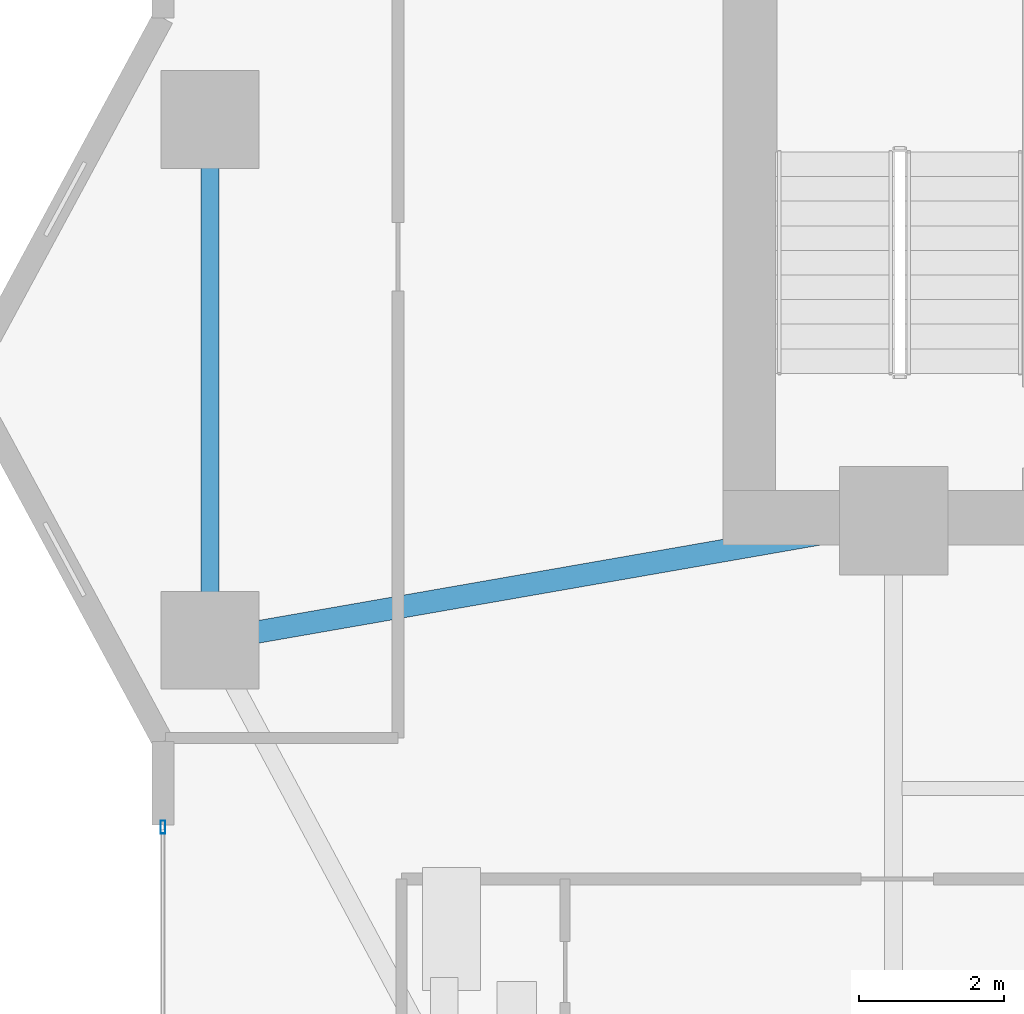
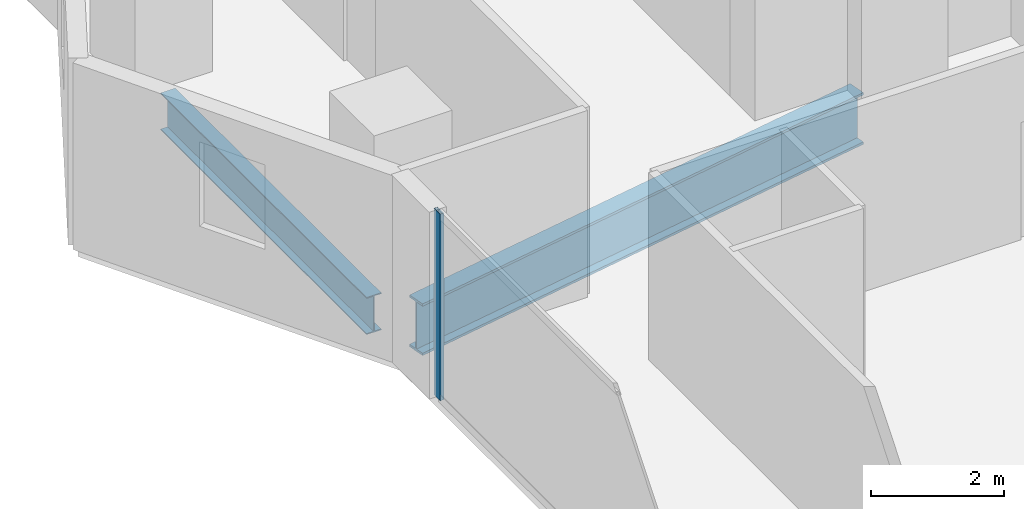
# One storey, part 7 of 28: 2 beams, 1 member, 1 element without a shape of its own.
"""IFC4 building model written with IfcOpenShell, lengths in metres."""

from ifc_helpers import new_model, si_unit, direction, frame, origin, origin_2d, place, context, subcontext, project, spatial, hollow_rectangle, i_section, extrude, material, layer, layer_set, material_profile, profile_set, type_object, element, aggregate, save


model = new_model("IFC4")

# Units and contexts
model_context = context("Model", 3, precision=1e-05, world=origin(), true_north=direction((0.0, 1.0)))
body_context = subcontext(model_context, "Body", "Model", "MODEL_VIEW")
ifc_project = project(units=[si_unit("LENGTHUNIT", "METRE"), si_unit("AREAUNIT", "SQUARE_METRE"), si_unit("VOLUMEUNIT", "CUBIC_METRE"), si_unit("PLANEANGLEUNIT", "RADIAN"), si_unit("MASSUNIT", "GRAM", prefix="KILO")], contexts=[model_context])

# Site, building, storey
site_placement = place(None, origin())
site = spatial("IfcSite", under=ifc_project, at=site_placement, CompositionType="ELEMENT")
building_placement = place(site_placement, origin())
building = spatial("IfcBuilding", under=site, at=building_placement, Name="Zuhayl Quay Hotel", CompositionType="ELEMENT")
storey_placement = place(building_placement, frame((0.0, 0.0, 121.199951171875)))
storey = spatial("IfcBuildingStorey", under=building, at=storey_placement, Name="L30", CompositionType="ELEMENT", Elevation=121.199951171875)

# Beams
ifc_material_1 = material(Name="Steel ASTM A992 Grade 50", Category="steel")
ifc_material_profile_1 = material_profile(ifc_material_1, i_section(OverallWidth=0.25390625, OverallDepth=0.68310546875, WebThickness=0.012451171875, FlangeThickness=0.018798828125, at=origin_2d()), Name="W27X94")
ifc_profile_set_1 = profile_set([ifc_material_profile_1], Name="Steel ASTM A992 Grade 50")
beam_type_1 = type_object("IfcBeamType", Name="BM_B2_W27X94", PredefinedType="BEAM", material=ifc_profile_set_1)
beam_1_placement = place(storey_placement, frame((-23.25, 9.60009765625, -0.5615234375), z_axis=(0.0, -1.0, 0.0), x_axis=(1.0, 0.0, 0.0)))
element("IfcBeam", 1, at=beam_1_placement, inside=storey, type_object=beam_type_1, Name="L30 Floor Beam RG_L30_11", PredefinedType="BEAM", context=body_context, shape_type="SweptSolid", body=[
    extrude(i_section(OverallWidth=0.25390625, OverallDepth=0.68310546875, WebThickness=0.012451171875, FlangeThickness=0.018798828125, at=origin_2d()), origin(), (0.0, 0.0, 1.0), 6.2001953125),
])
ifc_material_profile_2 = material_profile(ifc_material_1, i_section(OverallWidth=0.31005859375, OverallDepth=0.949951171875, WebThickness=0.0244140625, FlangeThickness=0.0439453125, at=origin_2d()), Name="W36X256")
ifc_profile_set_2 = profile_set([ifc_material_profile_2], Name="Steel ASTM A992 Grade 50")
beam_type_2 = type_object("IfcBeamType", Name="BM_PG1_W36X256", PredefinedType="BEAM", material=ifc_profile_set_2)
beam_2_placement = place(storey_placement, frame((-22.757568359375, 2.986083984375, -0.695068359375), z_axis=(0.985097302632, 0.171997977741, 0.0), x_axis=(-0.171997977741, 0.985097302632, 0.0)))
element("IfcBeam", 2, at=beam_2_placement, inside=storey, type_object=beam_type_2, Name="L30 Floor Beam FG_W_L30_1", PredefinedType="BEAM", context=body_context, shape_type="SweptSolid", body=[
    extrude(i_section(OverallWidth=0.31005859375, OverallDepth=0.949951171875, WebThickness=0.0244140625, FlangeThickness=0.0439453125, at=origin_2d()), origin(), (0.0, 0.0, 1.0), 8.64306640625),
])

# Curtain wall, member
ifc_material_2 = material(Name="Anodised Aluminium 6063-T6", Category="aluminium")
ifc_layer = layer(ifc_material_2, 0.179931640625, Name="Anodised Aluminium 6063-T6", Category="aluminium")
ifc_layer_set = layer_set([ifc_layer], Name="Anodised Aluminium 6063-T6")
curtain_wall_type = type_object("IfcCurtainWallType", Name="CW_SYS_Z2", PredefinedType="USERDEFINED", material=ifc_layer_set)
curtain_wall_placement = place(storey_placement, origin())
curtain_wall = element("IfcCurtainWall", 3, at=curtain_wall_placement, inside=storey, type_object=curtain_wall_type, Name="L30 Curtain Wall ENV_L30_E02_CW1", ObjectType="UNITISED CURTAIN WALL", PredefinedType="USERDEFINED")
ifc_material_3 = material(Name="Black-anodised aluminium 6063-T6", Category="aluminium")
ifc_material_profile_3 = material_profile(ifc_material_3, hollow_rectangle(XDim=0.06494140625, YDim=0.179931640625, WallThickness=0.00341796875, at=origin_2d()), Name="ALU180X65")
ifc_profile_set_3 = profile_set([ifc_material_profile_3], Name="Black-anodised aluminium 6063-T6")
member_type = type_object("IfcMemberType", Name="MB_CW_MUL_180", PredefinedType="MULLION", material=ifc_profile_set_3)
member_placement = place(storey_placement, frame((-23.89990234375, 0.3173828125, 0.0), z_axis=(0.0, 0.0, 1.0), x_axis=(-1.0, 0.0, 0.0)))
member = element("IfcMember", 4, at=member_placement, type_object=member_type, Name="CW-Z2 mullion 2", PredefinedType="MULLION", context=body_context, shape_type="SweptSolid", body=[
    extrude(hollow_rectangle(XDim=0.06494140625, YDim=0.179931640625, WallThickness=0.00341796875, at=origin_2d()), origin(), (0.0, 0.0, 1.0), 3.429931640625),
])
aggregate(curtain_wall, [member])

save(model, "model.ifc")
